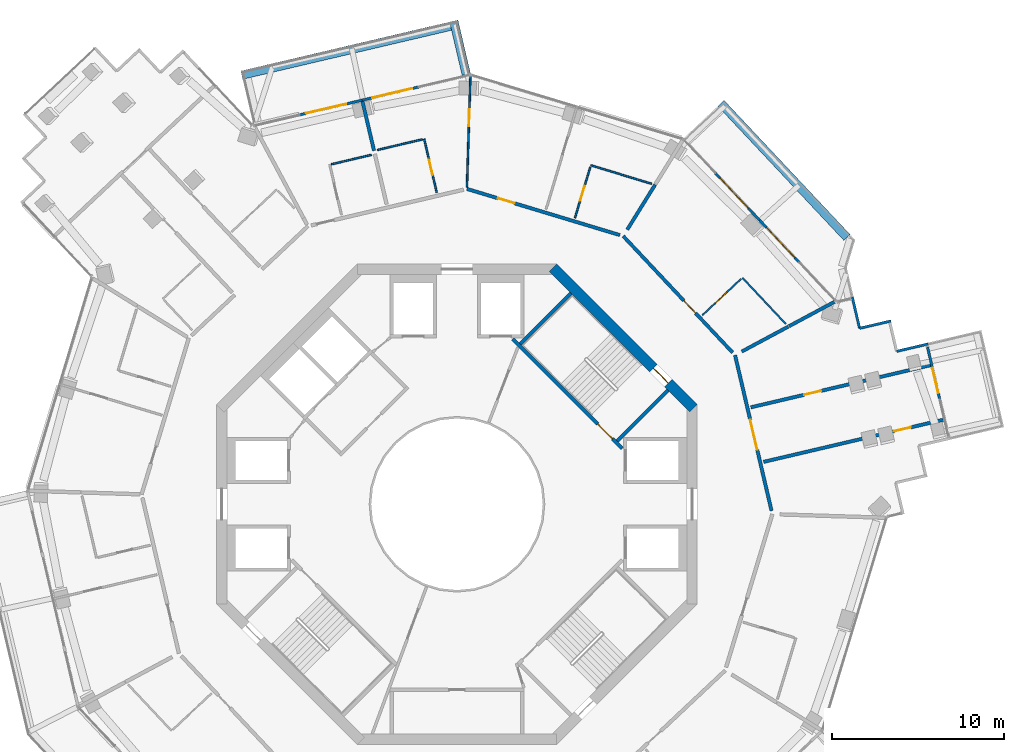
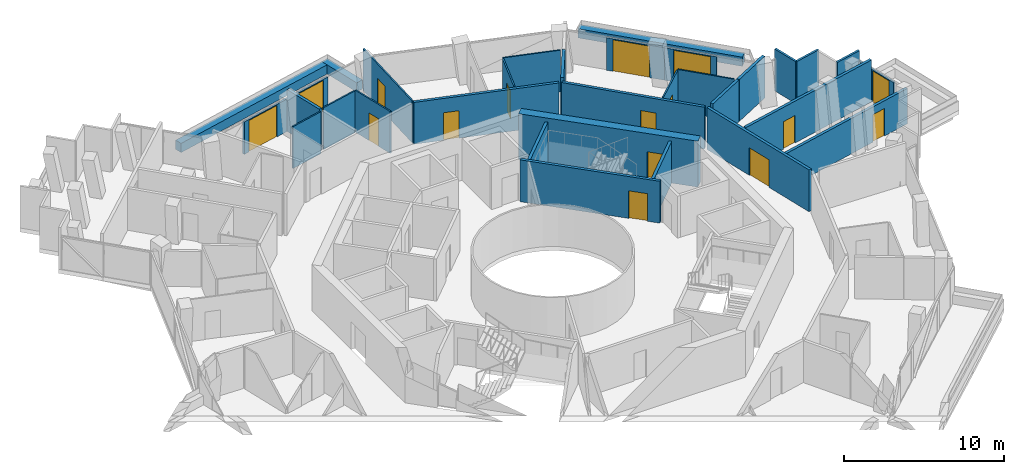
# One storey, part 20 of 24: 32 walls, 16 doors, 16 openings.
"""IFC4 building model written with IfcOpenShell, lengths in metres."""

import ifcopenshell
import ifcopenshell.guid

model = None  # the IFC model being written
_history = None  # IfcOwnerHistory: only IFC2X3 demands one
_inside = {}  # id of a spatial element -> (the spatial element, [elements in it])
_under = {}  # id of a project, library or spatial element -> (it, [spatial elements below it])
_declared = {}  # id of a project -> (the project, [libraries it declares])
_typed = {}  # id of a type object -> (the type object, [elements of that type])
_made_of = {}  # id of a material, layer set ... -> (it, [elements and type objects made of it])


def new_model(schema):
    """Start an empty IFC model of exactly this schema.

    Asked for "IFC4X3", IfcOpenShell would pick the latest addendum, in which some entities
    have other attributes; the version numbers below select the first issue.
    IFC2X3 requires an IfcOwnerHistory on every rooted entity: one is made here for all.
    """
    global model, _history
    if schema == "IFC4X3":
        model = ifcopenshell.file(schema_version=(4, 3, 0, 0))
    else:
        model = ifcopenshell.file(schema=schema)
    _inside.clear()
    _under.clear()
    _declared.clear()
    _typed.clear()
    _made_of.clear()
    _history = None
    if model.schema == "IFC2X3":
        org = make("IfcOrganization", Name="unknown")
        user = make(
            "IfcPersonAndOrganization",
            ThePerson=make("IfcPerson", FamilyName="unknown"),
            TheOrganization=org,
        )
        app = make(
            "IfcApplication",
            ApplicationDeveloper=org,
            Version="unknown",
            ApplicationFullName="unknown",
            ApplicationIdentifier="unknown",
        )
        _history = make(
            "IfcOwnerHistory",
            OwningUser=user,
            OwningApplication=app,
            ChangeAction="ADDED",
            CreationDate=0,
        )
    return model


def make(cls, **values):
    """One entity of the class cls with the attributes given. An attribute that is None is left unset."""
    return model.create_entity(
        cls, **{name: value for name, value in values.items() if value is not None}
    )


def rooted(cls, **values):
    """An entity with a GlobalId (a new one), such as an element, a storey or a relation."""
    return make(cls, GlobalId=ifcopenshell.guid.new(), OwnerHistory=_history, **values)


def si_unit(unit_type, name, prefix=None):
    """IfcSIUnit, for example si_unit("LENGTHUNIT", "METRE", prefix="MILLI")."""
    return make("IfcSIUnit", UnitType=unit_type, Prefix=prefix, Name=name)


def assignment(units):
    """IfcUnitAssignment: the units of a project."""
    return None if units is None else make("IfcUnitAssignment", Units=units)


def point(xyz):
    """IfcCartesianPoint."""
    return None if xyz is None else make("IfcCartesianPoint", Coordinates=xyz)


def direction(xyz):
    """IfcDirection."""
    return None if xyz is None else make("IfcDirection", DirectionRatios=xyz)


def frame(location, z_axis=None, x_axis=None):
    """IfcAxis2Placement3D, a coordinate frame: its origin and axes. An axis left out is left unset."""
    return make(
        "IfcAxis2Placement3D",
        Location=point(location),
        Axis=direction(z_axis),
        RefDirection=direction(x_axis),
    )


def frame_2d(location, x_axis=None):
    """IfcAxis2Placement2D, a coordinate frame in the plane: its origin and x axis."""
    return make(
        "IfcAxis2Placement2D", Location=point(location), RefDirection=direction(x_axis)
    )


def origin():
    """The frame at (0, 0, 0) with its axes left unset."""
    return frame((0.0, 0.0, 0.0))


def place(relative_to, where):
    """IfcLocalPlacement: puts the frame where relative to a parent placement (None: the world)."""
    return make(
        "IfcLocalPlacement", PlacementRelTo=relative_to, RelativePlacement=where
    )


def context(
    kind, dimensions, precision=None, world=None, true_north=None, identifier=None
):
    """IfcGeometricRepresentationContext, for example the 3D "Model" context."""
    return make(
        "IfcGeometricRepresentationContext",
        ContextIdentifier=identifier,
        ContextType=kind,
        CoordinateSpaceDimension=dimensions,
        Precision=precision,
        WorldCoordinateSystem=world,
        TrueNorth=true_north,
    )


def subcontext(parent, identifier, kind, view, scale=None):
    """IfcGeometricRepresentationSubContext, for example "Body" below "Model"."""
    return make(
        "IfcGeometricRepresentationSubContext",
        ContextIdentifier=identifier,
        ContextType=kind,
        ParentContext=parent,
        TargetScale=scale,
        TargetView=view,
    )


def project(units=None, contexts=None):
    """IfcProject with its units and contexts."""
    return rooted(
        "IfcProject",
        Name="project",
        RepresentationContexts=contexts,
        UnitsInContext=assignment(units),
    )


def spatial(cls, under=None, at=None, **own):
    """A site, building, storey or space (cls), placed at a placement, below another one or the project."""
    s = rooted(cls, ObjectPlacement=at, **own)
    if under is not None:
        _under.setdefault(under.id(), (under, []))[1].append(s)
    return s


def profile(cls, at=None, kind="AREA", **sizes):
    """A parametric profile (cls). Its sizes go by their IFC names, for example OverallWidth=200.0."""
    return make(cls, ProfileType=kind, Position=at, **sizes)


def rectangle(**sizes):
    """IfcRectangleProfileDef."""
    return profile("IfcRectangleProfileDef", **sizes)


def extrude(swept, where, along, depth):
    """IfcExtrudedAreaSolid: the profile swept, set in the frame where, extruded along a direction by depth."""
    return make(
        "IfcExtrudedAreaSolid",
        SweptArea=swept,
        Position=where,
        ExtrudedDirection=direction(along),
        Depth=depth,
    )


def shape(context_of_items, identifier, shape_type, items):
    """IfcShapeRepresentation: the items that make up one representation, for example the "Body"."""
    return make(
        "IfcShapeRepresentation",
        ContextOfItems=context_of_items,
        RepresentationIdentifier=identifier,
        RepresentationType=shape_type,
        Items=items,
    )


def material(Name=None, Category=None):
    """IfcMaterial."""
    return make("IfcMaterial", Name=Name, Category=Category)


def layer(
    of_material, thickness, ventilated=None, Name=None, Category=None, Priority=None
):
    """IfcMaterialLayer: one layer of a wall or slab, of a material (None: an air gap)."""
    return make(
        "IfcMaterialLayer",
        Material=of_material,
        LayerThickness=thickness,
        IsVentilated=ventilated,
        Name=Name,
        Category=Category,
        Priority=Priority,
    )


def layer_set(layers, Name=None):
    """IfcMaterialLayerSet."""
    return make("IfcMaterialLayerSet", MaterialLayers=layers, LayerSetName=Name)


def made_of(thing, what):
    """Note that an element or type object is made of a material, layer set ...; save() writes the relation."""
    if what is not None:
        _made_of.setdefault(what.id(), (what, []))[1].append(thing)
    return thing


def type_object(cls, material=None, **own):
    """A type object (cls), such as IfcWallType, which elements share."""
    return made_of(rooted(cls, **own), material)


def element(
    cls,
    number,
    at=None,
    inside=None,
    cuts=None,
    type_object=None,
    material=None,
    context=None,
    identifier="Body",
    shape_type=None,
    held_by="IfcProductDefinitionShape",
    body=None,
    shapes=None,
    **own,
):
    """One element of the class cls, such as IfcWall. Its Tag is "e" and its number.

    at: its placement. inside: the storey or other place that contains it. cuts: it is an
    opening in that element (IfcRelVoidsElement). A single representation is given by context,
    identifier, shape_type and body (its items); several are given by shapes. held_by: the class
    of the entity that holds the representations. save() writes the other relations.
    """
    e = rooted(cls, Tag="e%d" % number, ObjectPlacement=at, **own)
    if body is not None:
        shapes = [shape(context, identifier, shape_type, body)]
    if shapes is not None:
        e.Representation = make(held_by, Representations=shapes)
    if inside is not None:
        _inside.setdefault(inside.id(), (inside, []))[1].append(e)
    if cuts is not None:
        rooted(
            "IfcRelVoidsElement", RelatingBuildingElement=cuts, RelatedOpeningElement=e
        )
    if type_object is not None:
        _typed.setdefault(type_object.id(), (type_object, []))[1].append(e)
    return made_of(e, material)


def fill(opening, filler):
    """IfcRelFillsElement: the door or window that sits in an opening."""
    return rooted(
        "IfcRelFillsElement",
        RelatingOpeningElement=opening,
        RelatedBuildingElement=filler,
    )


def aggregate(whole, parts):
    """IfcRelAggregates: a whole, such as a stair, and the parts it consists of."""
    return rooted("IfcRelAggregates", RelatingObject=whole, RelatedObjects=parts)


def save(model, path):
    """Write the relations noted so far, then the file.

    IfcRelAggregates (storeys below a building ...), IfcRelContainedInSpatialStructure (elements
    in a storey), IfcRelDefinesByType, IfcRelAssociatesMaterial and IfcRelDeclares: one each for
    every whole, place, type object, material and project.
    """
    for whole, parts in _under.values():
        aggregate(whole, parts)
    for where, things in _inside.values():
        rooted(
            "IfcRelContainedInSpatialStructure",
            RelatedElements=things,
            RelatingStructure=where,
        )
    for kind, things in _typed.values():
        rooted("IfcRelDefinesByType", RelatedObjects=things, RelatingType=kind)
    for what, things in _made_of.values():
        rooted("IfcRelAssociatesMaterial", RelatedObjects=things, RelatingMaterial=what)
    for by, libraries in _declared.values():
        rooted("IfcRelDeclares", RelatingContext=by, RelatedDefinitions=libraries)
    model.write(path)


model = new_model("IFC4")

# Units and contexts
model_context = context("Model", 3, precision=1e-05, world=origin(), true_north=direction((0.0, 1.0)))
body_context = subcontext(model_context, "Body", "Model", "MODEL_VIEW")
ifc_project = project(units=[si_unit("LENGTHUNIT", "METRE"), si_unit("AREAUNIT", "SQUARE_METRE"), si_unit("VOLUMEUNIT", "CUBIC_METRE"), si_unit("PLANEANGLEUNIT", "RADIAN"), si_unit("MASSUNIT", "GRAM", prefix="KILO")], contexts=[model_context])

# Site, building, storey
site_placement = place(None, origin())
site = spatial("IfcSite", under=ifc_project, at=site_placement, CompositionType="ELEMENT")
building_placement = place(site_placement, origin())
building = spatial("IfcBuilding", under=site, at=building_placement, Name="Verdalira Terraces Hotel", CompositionType="ELEMENT")
storey_placement = place(building_placement, frame((0.0, 0.0, 209.0)))
storey = spatial("IfcBuildingStorey", under=building, at=storey_placement, Name="L51", CompositionType="ELEMENT", Elevation=209.0)

# Walls
ifc_material_1 = material(Name="Concrete C40", Category="concrete")
ifc_layer_1 = layer(ifc_material_1, 0.5)
ifc_layer_set_1 = layer_set([ifc_layer_1], Name="Balcony planter trough with tree")
wall_type_1 = type_object("IfcWallType", Name="Balcony planter trough with tree", PredefinedType="SOLIDWALL", material=ifc_layer_set_1)
wall_1_placement = place(storey_placement, frame((22.722412, 15.549561, 0.0), z_axis=(0.0, 0.0, 1.0), x_axis=(-0.684540163, 0.728975147, 0.0)))
element("IfcWall", 1, at=wall_1_placement, inside=storey, type_object=wall_type_1, Name="Balcony planter", PredefinedType="SOLIDWALL", context=body_context, shape_type="SweptSolid", body=[
    extrude(rectangle(XDim=10.719482, YDim=0.5, at=frame_2d((5.359863, 0.0))), origin(), (0.0, 0.0, 1.0), 0.699951),
])
wall_2_placement = place(storey_placement, frame((0.545166, 25.045654, 0.0), z_axis=(0.0, 0.0, 1.0), x_axis=(-0.228341659, 0.973581063, 0.0)))
element("IfcWall", 2, at=wall_2_placement, inside=storey, type_object=wall_type_1, Name="Balcony planter", PredefinedType="SOLIDWALL", context=body_context, shape_type="SweptSolid", body=[
    extrude(rectangle(XDim=3.198975, YDim=0.5, at=frame_2d((1.599609, 0.0))), origin(), (0.0, 0.0, 1.0), 0.699951),
])
wall_3_placement = place(storey_placement, frame((-0.371582, 27.859619, 0.0), z_axis=(0.0, 0.0, 1.0), x_axis=(-0.973576768, -0.228359973, 0.0)))
element("IfcWall", 3, at=wall_3_placement, inside=storey, type_object=wall_type_1, Name="Balcony planter", PredefinedType="SOLIDWALL", context=body_context, shape_type="SweptSolid", body=[
    extrude(rectangle(XDim=12.5, YDim=0.5, at=frame_2d((6.25, 0.0))), origin(), (0.0, 0.0, 1.0), 0.699951),
])
ifc_material_2 = material(Name="Moisture-resistant gypsum board partition")
ifc_layer_2 = layer(ifc_material_2, 0.10009765625)
ifc_layer_set_2 = layer_set([ifc_layer_2], Name="Bathroom partition 100 mm")
wall_type_2 = type_object("IfcWallType", Name="Bathroom partition 100 mm", PredefinedType="PARTITIONING", material=ifc_layer_set_2)
wall_4_placement = place(storey_placement, frame((-7.317139, 19.810791, 0.0), z_axis=(0.0, 0.0, 1.0), x_axis=(0.973570381, 0.2283872, 0.0)))
element("IfcWall", 4, at=wall_4_placement, inside=storey, type_object=wall_type_2, Name="Bathroom partition", PredefinedType="PARTITIONING", context=body_context, shape_type="SweptSolid", body=[
    extrude(rectangle(XDim=2.399902, YDim=0.100098, at=frame_2d((1.199951, 0.0))), origin(), (0.0, 0.0, 1.0), 3.189941),
])
wall_5_placement = place(storey_placement, frame((-2.008057, 21.261475, 0.0), z_axis=(0.0, 0.0, 1.0), x_axis=(-0.973586482, -0.228318554, 0.0)))
element("IfcWall", 5, at=wall_5_placement, inside=storey, type_object=wall_type_2, Name="Bathroom partition", PredefinedType="PARTITIONING", context=body_context, shape_type="SweptSolid", body=[
    extrude(rectangle(XDim=2.699951, YDim=0.100098, at=frame_2d((1.350098, 0.0))), origin(), (0.0, 0.0, 1.0), 3.189941),
])

# Wall, opening, door
wall_6_placement = place(storey_placement, frame((-1.180176, 18.168945, 0.0), z_axis=(0.0, 0.0, 1.0), x_axis=(-0.228346131, 0.973580014, 0.0)))
wall_6 = element("IfcWall", 6, at=wall_6_placement, inside=storey, type_object=wall_type_2, Name="Bathroom partition", PredefinedType="PARTITIONING", context=body_context, shape_type="SweptSolid", body=[
    extrude(rectangle(XDim=3.199951, YDim=0.100098, at=frame_2d((1.600098, 0.0))), origin(), (0.0, 0.0, 1.0), 3.189941),
])
opening_1_placement = place(wall_6_placement, frame((1.050049, 0.0, 0.0)))
opening_1 = element("IfcOpeningElement", 7, at=opening_1_placement, cuts=wall_6, Name="Opening L51-132", PredefinedType="OPENING", context=body_context, shape_type="SweptSolid", body=[
    extrude(rectangle(XDim=0.899902, YDim=2.100098, at=frame_2d((0.449951, 1.050049))), frame((0.0, 0.060059, 0.0), z_axis=(0.0, -1.0, 0.0), x_axis=(1.0, 0.0, 0.0)), (0.0, 0.0, 1.0), 0.120117),
])
ifc_material_3 = material(Name="Timber door", Category="wood")
door_type_1 = type_object("IfcDoorType", Name="Bathroom door 900 x 2100", OperationType="NOTDEFINED", PredefinedType="DOOR", material=ifc_material_3)
door_1_placement = place(opening_1_placement, origin())
door_1 = element("IfcDoor", 8, at=door_1_placement, inside=storey, type_object=door_type_1, Name="Bathroom door 5112", OperationType="SINGLE_SWING_RIGHT", OverallHeight=2.10009765625, OverallWidth=0.89990234375, PredefinedType="DOOR", context=body_context, shape_type="SweptSolid", body=[
    extrude(rectangle(XDim=0.899902, YDim=2.100098, at=frame_2d((0.449951, 1.050049))), frame((0.0, 0.024902, 0.0), z_axis=(0.0, -1.0, 0.0), x_axis=(1.0, 0.0, 0.0)), (0.0, 0.0, 1.0), 0.050049),
])
fill(opening_1, door_1)

wall_7_placement = place(storey_placement, frame((0.580811, 18.479248, 0.0), z_axis=(0.0, 0.0, 1.0), x_axis=(0.031404237, 0.999506765, 0.0)))
wall_7 = element("IfcWall", 9, at=wall_7_placement, inside=storey, type_object=wall_type_2, Name="Bathroom partition", PredefinedType="PARTITIONING", context=body_context, shape_type="SweptSolid", body=[
    extrude(rectangle(XDim=6.47583, YDim=0.100098, at=frame_2d((3.237793, 0.0))), origin(), (0.0, 0.0, 1.0), 3.189941),
])
opening_2_placement = place(wall_7_placement, frame((3.550049, 0.0, 0.0)))
opening_2 = element("IfcOpeningElement", 10, at=opening_2_placement, cuts=wall_7, Name="Opening L51-130", PredefinedType="OPENING", context=body_context, shape_type="SweptSolid", body=[
    extrude(rectangle(XDim=1.0, YDim=2.100098, at=frame_2d((0.5, 1.050049))), frame((0.0, 0.060059, 0.0), z_axis=(0.0, -1.0, 0.0), x_axis=(1.0, 0.0, 0.0)), (0.0, 0.0, 1.0), 0.120117),
])
ifc_material_4 = material(Name="Timber door", Category="wood")
door_type_2 = type_object("IfcDoorType", Name="Suite internal door 1000 x 2100", OperationType="NOTDEFINED", PredefinedType="DOOR", material=ifc_material_4)
door_2_placement = place(opening_2_placement, origin())
door_2 = element("IfcDoor", 11, at=door_2_placement, inside=storey, type_object=door_type_2, Name="Suite internal door 5112", OperationType="SINGLE_SWING_LEFT", OverallHeight=2.10009765625, OverallWidth=1.0, PredefinedType="DOOR", context=body_context, shape_type="SweptSolid", body=[
    extrude(rectangle(XDim=1.0, YDim=2.100098, at=frame_2d((0.5, 1.050049))), frame((0.0, 0.024902, 0.0), z_axis=(0.0, -1.0, 0.0), x_axis=(1.0, 0.0, 0.0)), (0.0, 0.0, 1.0), 0.050049),
])
fill(opening_2, door_2)

wall_8_placement = place(storey_placement, frame((7.769775, 19.651367, 0.0), z_axis=(0.0, 0.0, 1.0), x_axis=(-0.289023657, -0.957321955, 0.0)))
wall_8 = element("IfcWall", 12, at=wall_8_placement, inside=storey, type_object=wall_type_2, Name="Bathroom partition", PredefinedType="PARTITIONING", context=body_context, shape_type="SweptSolid", body=[
    extrude(rectangle(XDim=3.100098, YDim=0.100098, at=frame_2d((1.550049, 0.0))), origin(), (0.0, 0.0, 1.0), 3.189941),
])
opening_3_placement = place(wall_8_placement, frame((1.149902, 0.0, 0.0)))
opening_3 = element("IfcOpeningElement", 13, at=opening_3_placement, cuts=wall_8, Name="Opening L51-131", PredefinedType="OPENING", context=body_context, shape_type="SweptSolid", body=[
    extrude(rectangle(XDim=0.899902, YDim=2.100098, at=frame_2d((0.449951, 1.050049))), frame((0.0, 0.060059, 0.0), z_axis=(0.0, -1.0, 0.0), x_axis=(1.0, 0.0, 0.0)), (0.0, 0.0, 1.0), 0.120117),
])
door_3_placement = place(opening_3_placement, origin())
door_3 = element("IfcDoor", 14, at=door_3_placement, inside=storey, type_object=door_type_1, Name="Bathroom door 5112", OperationType="SINGLE_SWING_LEFT", OverallHeight=2.10009765625, OverallWidth=0.89990234375, PredefinedType="DOOR", context=body_context, shape_type="SweptSolid", body=[
    extrude(rectangle(XDim=0.899902, YDim=2.100098, at=frame_2d((0.449951, 1.050049))), frame((0.0, 0.024902, 0.0), z_axis=(0.0, -1.0, 0.0), x_axis=(1.0, 0.0, 0.0)), (0.0, 0.0, 1.0), 0.050049),
])
fill(opening_3, door_3)

# Wall
wall_9_placement = place(storey_placement, frame((11.344482, 18.676514, 0.0), z_axis=(0.0, 0.0, 1.0), x_axis=(-0.957320485, 0.289028527, 0.0)))
element("IfcWall", 15, at=wall_9_placement, inside=storey, type_object=wall_type_2, Name="Bathroom partition", PredefinedType="PARTITIONING", context=body_context, shape_type="SweptSolid", body=[
    extrude(rectangle(XDim=3.704102, YDim=0.100098, at=frame_2d((1.852051, 0.0))), origin(), (0.0, 0.0, 1.0), 3.189941),
])

# Wall, opening, door
wall_10_placement = place(storey_placement, frame((16.554443, 13.133789, 0.0), z_axis=(0.0, 0.0, 1.0), x_axis=(-0.728967156, -0.684548673, 0.0)))
wall_10 = element("IfcWall", 16, at=wall_10_placement, inside=storey, type_object=wall_type_2, Name="Bathroom partition", PredefinedType="PARTITIONING", context=body_context, shape_type="SweptSolid", body=[
    extrude(rectangle(XDim=3.099854, YDim=0.100098, at=frame_2d((1.549805, 0.0))), origin(), (0.0, 0.0, 1.0), 3.189941),
])
opening_4_placement = place(wall_10_placement, frame((1.149902, 0.0, 0.0)))
opening_4 = element("IfcOpeningElement", 17, at=opening_4_placement, cuts=wall_10, Name="Opening L51-127", PredefinedType="OPENING", context=body_context, shape_type="SweptSolid", body=[
    extrude(rectangle(XDim=0.899902, YDim=2.100098, at=frame_2d((0.449951, 1.050049))), frame((0.0, 0.060059, 0.0), z_axis=(0.0, -1.0, 0.0), x_axis=(1.0, 0.0, 0.0)), (0.0, 0.0, 1.0), 0.120117),
])
door_4_placement = place(opening_4_placement, origin())
door_4 = element("IfcDoor", 18, at=door_4_placement, inside=storey, type_object=door_type_1, Name="Bathroom door 5111", OperationType="SINGLE_SWING_LEFT", OverallHeight=2.10009765625, OverallWidth=0.89990234375, PredefinedType="DOOR", context=body_context, shape_type="SweptSolid", body=[
    extrude(rectangle(XDim=0.899902, YDim=2.100098, at=frame_2d((0.449951, 1.050049))), frame((0.0, 0.024902, 0.0), z_axis=(0.0, -1.0, 0.0), x_axis=(1.0, 0.0, 0.0)), (0.0, 0.0, 1.0), 0.050049),
])
fill(opening_4, door_4)

# Wall
wall_11_placement = place(storey_placement, frame((16.627441, 13.202148, 0.0), z_axis=(0.0, 0.0, 1.0), x_axis=(0.684546009, -0.728969657, 0.0)))
element("IfcWall", 19, at=wall_11_placement, inside=storey, type_object=wall_type_2, Name="Bathroom partition", PredefinedType="PARTITIONING", context=body_context, shape_type="SweptSolid", body=[
    extrude(rectangle(XDim=3.704102, YDim=0.100098, at=frame_2d((1.852051, 0.0))), origin(), (0.0, 0.0, 1.0), 3.189941),
])

# Wall, opening, door
ifc_material_5 = material(Name="Concrete C50", Category="concrete")
ifc_layer_3 = layer(ifc_material_5, 0.199951171875)
ifc_layer_set_3 = layer_set([ifc_layer_3], Name="Core RC wall 200 C50")
wall_type_3 = type_object("IfcWallType", Name="Core RC wall 200 C50", PredefinedType="SOLIDWALL", material=ifc_layer_set_3)
wall_12_placement = place(storey_placement, frame((3.23999, 9.629395, 0.0), z_axis=(0.0, 0.0, 1.0), x_axis=(0.707106781, -0.707106781, 0.0)))
wall_12 = element("IfcWall", 20, at=wall_12_placement, inside=storey, type_object=wall_type_3, Name="L51 stair ST1 front wall", PredefinedType="SOLIDWALL", context=body_context, shape_type="SweptSolid", body=[
    extrude(rectangle(XDim=9.035889, YDim=0.199951, at=frame_2d((4.518066, 0.0))), origin(), (0.0, 0.0, 1.0), 3.189941),
])
opening_5_placement = place(wall_12_placement, frame((7.017822, 0.0, 0.0)))
opening_5 = element("IfcOpeningElement", 21, at=opening_5_placement, cuts=wall_12, Name="Opening L51-810", PredefinedType="OPENING", context=body_context, shape_type="SweptSolid", body=[
    extrude(rectangle(XDim=1.199951, YDim=2.100098, at=frame_2d((0.600098, 1.050049))), frame((0.0, 0.109863, 0.0), z_axis=(0.0, -1.0, 0.0), x_axis=(1.0, 0.0, 0.0)), (0.0, 0.0, 1.0), 0.219971),
])
ifc_material_6 = material(Name="Steel fire door", Category="steel")
door_type_3 = type_object("IfcDoorType", Name="Stair door 1200 x 2100", OperationType="NOTDEFINED", PredefinedType="DOOR", material=ifc_material_6)
door_5_placement = place(opening_5_placement, origin())
door_5 = element("IfcDoor", 22, at=door_5_placement, inside=storey, type_object=door_type_3, Name="Stair door ST1 L51", OperationType="SINGLE_SWING_RIGHT", OverallHeight=2.10009765625, OverallWidth=1.199951171875, PredefinedType="DOOR", context=body_context, shape_type="SweptSolid", body=[
    extrude(rectangle(XDim=1.199951, YDim=2.100098, at=frame_2d((0.600098, 1.050049))), frame((0.0, 0.024902, 0.0), z_axis=(0.0, -1.0, 0.0), x_axis=(1.0, 0.0, 0.0)), (0.0, 0.0, 1.0), 0.050049),
])
fill(opening_5, door_5)

# Walls
for number, where, z_axis, x_axis, name in (
    (23, (9.33374, 3.677002, 0.0), (0.0, 0.0, 1.0), (0.707135845, 0.707077716, 0.0), "L51 stair ST1 end wall 1"),
    (24, (3.677002, 9.33374, 0.0), (0.0, 0.0, 1.0), (0.707077716, 0.707135845, 0.0), "L51 stair ST1 end wall 2"),
):
    element("IfcWall", number, at=place(storey_placement, frame(where, z_axis=z_axis, x_axis=x_axis)), inside=storey, type_object=wall_type_3, Name=name, PredefinedType="SOLIDWALL", context=body_context, shape_type="SweptSolid", body=[
        extrude(rectangle(XDim=4.199951, YDim=0.199951, at=frame_2d((2.100098, 0.0))), origin(), (0.0, 0.0, 1.0), 3.189941),
    ])

# Wall, opening, door
ifc_material_7 = material(Name="Concrete C60", Category="concrete")
ifc_layer_4 = layer(ifc_material_7, 0.60009765625)
ifc_layer_set_4 = layer_set([ifc_layer_4], Name="Core wall 600 C60")
wall_type_4 = type_object("IfcWallType", Name="Core wall 600 C60", PredefinedType="SHEAR", material=ifc_layer_set_4)
wall_13_placement = place(storey_placement, frame((13.787842, 5.586914, 0.0), z_axis=(0.0, 0.0, 1.0), x_axis=(-0.707106781, 0.707106781, 0.0)))
wall_13 = element("IfcWall", 25, at=wall_13_placement, inside=storey, type_object=wall_type_4, Name="Core wall CW-L51-2", PredefinedType="SHEAR", context=body_context, shape_type="SweptSolid", body=[
    extrude(rectangle(XDim=11.5979, YDim=0.600098, at=frame_2d((5.798828, 0.0))), origin(), (0.0, 0.0, 1.0), 3.5),
])
opening_6_placement = place(wall_13_placement, frame((2.099121, 0.0, 0.0)))
opening_6 = element("IfcOpeningElement", 26, at=opening_6_placement, cuts=wall_13, Name="Opening L51-816", PredefinedType="OPENING", context=body_context, shape_type="SweptSolid", body=[
    extrude(rectangle(XDim=1.199951, YDim=2.100098, at=frame_2d((0.600098, 1.050049))), frame((0.0, 0.310059, 0.0), z_axis=(0.0, -1.0, 0.0), x_axis=(1.0, 0.0, 0.0)), (0.0, 0.0, 1.0), 0.620117),
])
door_6_placement = place(opening_6_placement, origin())
door_6 = element("IfcDoor", 27, at=door_6_placement, inside=storey, type_object=door_type_3, Name="Stair exit door ST1 L51", OperationType="SINGLE_SWING_LEFT", OverallHeight=2.10009765625, OverallWidth=1.199951171875, PredefinedType="DOOR", context=body_context, shape_type="SweptSolid", body=[
    extrude(rectangle(XDim=1.199951, YDim=2.100098, at=frame_2d((0.600098, 1.050049))), frame((0.0, 0.024902, 0.0), z_axis=(0.0, -1.0, 0.0), x_axis=(1.0, 0.0, 0.0)), (0.0, 0.0, 1.0), 0.050049),
])
fill(opening_6, door_6)

# Walls
ifc_material_8 = material(Name="Fire-rated gypsum board wall")
ifc_layer_5 = layer(ifc_material_8, 0.199951171875)
ifc_layer_set_5 = layer_set([ifc_layer_5], Name="Demising wall 200 mm")
wall_type_5 = type_object("IfcWallType", Name="Demising wall 200 mm", PredefinedType="SOLIDWALL", material=ifc_layer_set_5)
wall_14_placement = place(storey_placement, frame((-4.831543, 20.599365, 0.0), z_axis=(0.0, 0.0, 1.0), x_axis=(-0.228333511, 0.973582974, 0.0)))
element("IfcWall", 28, at=wall_14_placement, inside=storey, type_object=wall_type_5, Name="Demising wall", PredefinedType="SOLIDWALL", context=body_context, shape_type="SweptSolid", body=[
    extrude(rectangle(XDim=2.949951, YDim=0.199951, at=frame_2d((1.475098, 0.0))), origin(), (0.0, 0.0, 1.0), 3.189941),
])
wall_15_placement = place(storey_placement, frame((9.923584, 16.005127, 0.0), z_axis=(0.0, 0.0, 1.0), x_axis=(0.526969492, 0.849884201, 0.0)))
element("IfcWall", 29, at=wall_15_placement, inside=storey, type_object=wall_type_5, Name="Demising wall", PredefinedType="SOLIDWALL", context=body_context, shape_type="SweptSolid", body=[
    extrude(rectangle(XDim=3.074951, YDim=0.199951, at=frame_2d((1.537598, 0.0))), origin(), (0.0, 0.0, 1.0), 3.189941),
])
wall_16_placement = place(storey_placement, frame((16.59668, 8.89917, 0.0), z_axis=(0.0, 0.0, 1.0), x_axis=(0.88131111, 0.472536482, 0.0)))
element("IfcWall", 30, at=wall_16_placement, inside=storey, type_object=wall_type_5, Name="Demising wall", PredefinedType="SOLIDWALL", context=body_context, shape_type="SweptSolid", body=[
    extrude(rectangle(XDim=3.074707, YDim=0.199951, at=frame_2d((1.537354, 0.0))), origin(), (0.0, 0.0, 1.0), 3.189941),
])
wall_17_placement = place(storey_placement, frame((19.346924, 10.373779, 0.0), z_axis=(0.0, 0.0, 1.0), x_axis=(0.881302745, 0.472552084, 0.0)))
element("IfcWall", 31, at=wall_17_placement, inside=storey, type_object=wall_type_5, Name="Demising wall", PredefinedType="SOLIDWALL", context=body_context, shape_type="SweptSolid", body=[
    extrude(rectangle(XDim=3.011475, YDim=0.199951, at=frame_2d((1.505859, 0.0))), origin(), (0.0, 0.0, 1.0), 3.189941),
])

# Wall, opening, door
wall_18_placement = place(storey_placement, frame((17.121094, 5.647705, 0.0), z_axis=(0.0, 0.0, 1.0), x_axis=(0.973576876, 0.22835951, 0.0)))
wall_18 = element("IfcWall", 32, at=wall_18_placement, inside=storey, type_object=wall_type_5, Name="Demising wall", PredefinedType="SOLIDWALL", context=body_context, shape_type="SweptSolid", body=[
    extrude(rectangle(XDim=10.749756, YDim=0.199951, at=frame_2d((5.375, 0.0))), origin(), (0.0, 0.0, 1.0), 3.189941),
])
opening_7_placement = place(wall_18_placement, frame((3.199951, 0.0, 0.0)))
opening_7 = element("IfcOpeningElement", 33, at=opening_7_placement, cuts=wall_18, Name="Opening L51-125", PredefinedType="OPENING", context=body_context, shape_type="SweptSolid", body=[
    extrude(rectangle(XDim=1.0, YDim=2.100098, at=frame_2d((0.5, 1.050049))), frame((0.0, 0.109863, 0.0), z_axis=(0.0, -1.0, 0.0), x_axis=(1.0, 0.0, 0.0)), (0.0, 0.0, 1.0), 0.219971),
])
ifc_material_9 = material(Name="Timber fire door", Category="wood")
door_type_4 = type_object("IfcDoorType", Name="Public room door 1000 x 2100", OperationType="NOTDEFINED", PredefinedType="DOOR", material=ifc_material_9)
door_7_placement = place(opening_7_placement, origin())
door_7 = element("IfcDoor", 34, at=door_7_placement, inside=storey, type_object=door_type_4, Name="Public room door 5110", OperationType="SINGLE_SWING_LEFT", OverallHeight=2.10009765625, OverallWidth=1.0, PredefinedType="DOOR", context=body_context, shape_type="SweptSolid", body=[
    extrude(rectangle(XDim=1.0, YDim=2.100098, at=frame_2d((0.5, 1.050049))), frame((0.0, 0.024902, 0.0), z_axis=(0.0, -1.0, 0.0), x_axis=(1.0, 0.0, 0.0)), (0.0, 0.0, 1.0), 0.050049),
])
fill(opening_7, door_7)

ifc_material_10 = material(Name="Fire-rated gypsum board wall")
ifc_layer_6 = layer(ifc_material_10, 0.199951171875)
ifc_layer_set_6 = layer_set([ifc_layer_6], Name="Demising wall 200 mm to beam soffit")
wall_type_6 = type_object("IfcWallType", Name="Demising wall 200 mm to beam soffit", PredefinedType="SOLIDWALL", material=ifc_layer_set_6)
wall_19_placement = place(storey_placement, frame((28.33252, 4.924316, 0.0), z_axis=(0.0, 0.0, 1.0), x_axis=(-0.973578061, -0.228354461, 0.0)))
wall_19 = element("IfcWall", 35, at=wall_19_placement, inside=storey, type_object=wall_type_6, Name="Demising wall", PredefinedType="SOLIDWALL", context=body_context, shape_type="SweptSolid", body=[
    extrude(rectangle(XDim=10.75, YDim=0.199951, at=frame_2d((5.375, 0.0))), origin(), (0.0, 0.0, 1.0), 2.689941),
])
opening_8_placement = place(wall_19_placement, frame((1.949951, 0.0, 0.0)))
opening_8 = element("IfcOpeningElement", 36, at=opening_8_placement, cuts=wall_19, Name="Opening L51-124", PredefinedType="OPENING", context=body_context, shape_type="SweptSolid", body=[
    extrude(rectangle(XDim=1.0, YDim=2.100098, at=frame_2d((0.5, 1.050049))), frame((0.0, 0.109863, 0.0), z_axis=(0.0, -1.0, 0.0), x_axis=(1.0, 0.0, 0.0)), (0.0, 0.0, 1.0), 0.219971),
])
door_8_placement = place(opening_8_placement, origin())
door_8 = element("IfcDoor", 37, at=door_8_placement, inside=storey, type_object=door_type_4, Name="Public room door 5110", OperationType="SINGLE_SWING_LEFT", OverallHeight=2.10009765625, OverallWidth=1.0, PredefinedType="DOOR", context=body_context, shape_type="SweptSolid", body=[
    extrude(rectangle(XDim=1.0, YDim=2.100098, at=frame_2d((0.5, 1.050049))), frame((0.0, 0.024902, 0.0), z_axis=(0.0, -1.0, 0.0), x_axis=(1.0, 0.0, 0.0)), (0.0, 0.0, 1.0), 0.050049),
])
fill(opening_8, door_8)

ifc_material_11 = material(Name="Fire-rated gypsum board wall")
ifc_layer_7 = layer(ifc_material_11, 0.199951171875)
ifc_layer_set_7 = layer_set([ifc_layer_7], Name="Guest corridor wall 200 mm")
wall_type_7 = type_object("IfcWallType", Name="Guest corridor wall 200 mm", PredefinedType="SOLIDWALL", material=ifc_layer_set_7)
wall_20_placement = place(storey_placement, frame((0.577393, 18.375732, 0.0), z_axis=(0.0, 0.0, 1.0), x_axis=(0.957319229, -0.289032685, 0.0)))
wall_20 = element("IfcWall", 38, at=wall_20_placement, inside=storey, type_object=wall_type_7, Name="Guest corridor wall", PredefinedType="SOLIDWALL", context=body_context, shape_type="SweptSolid", body=[
    extrude(rectangle(XDim=9.316895, YDim=0.199951, at=frame_2d((4.658447, 0.0))), origin(), (0.0, 0.0, 1.0), 3.189941),
])
opening_9_placement = place(wall_20_placement, frame((1.899902, 0.0, 0.0)))
opening_9 = element("IfcOpeningElement", 39, at=opening_9_placement, cuts=wall_20, Name="Opening L51-128", PredefinedType="OPENING", context=body_context, shape_type="SweptSolid", body=[
    extrude(rectangle(XDim=1.0, YDim=2.100098, at=frame_2d((0.5, 1.050049))), frame((0.0, 0.109863, 0.0), z_axis=(0.0, -1.0, 0.0), x_axis=(1.0, 0.0, 0.0)), (0.0, 0.0, 1.0), 0.219971),
])
ifc_material_12 = material(Name="Timber fire door", Category="wood")
door_type_5 = type_object("IfcDoorType", Name="Guest entry door 1000 x 2100", OperationType="NOTDEFINED", PredefinedType="DOOR", material=ifc_material_12)
door_9_placement = place(opening_9_placement, origin())
door_9 = element("IfcDoor", 40, at=door_9_placement, inside=storey, type_object=door_type_5, Name="Guest entry door 5112", OperationType="SINGLE_SWING_LEFT", OverallHeight=2.10009765625, OverallWidth=1.0, PredefinedType="DOOR", context=body_context, shape_type="SweptSolid", body=[
    extrude(rectangle(XDim=1.0, YDim=2.100098, at=frame_2d((0.5, 1.050049))), frame((0.0, 0.024902, 0.0), z_axis=(0.0, -1.0, 0.0), x_axis=(1.0, 0.0, 0.0)), (0.0, 0.0, 1.0), 0.050049),
])
fill(opening_9, door_9)

wall_21_placement = place(storey_placement, frame((9.687988, 15.625, 0.0), z_axis=(0.0, 0.0, 1.0), x_axis=(0.684549323, -0.728966545, 0.0)))
wall_21 = element("IfcWall", 41, at=wall_21_placement, inside=storey, type_object=wall_type_7, Name="Guest corridor wall", PredefinedType="SOLIDWALL", context=body_context, shape_type="SweptSolid", body=[
    extrude(rectangle(XDim=9.31665, YDim=0.199951, at=frame_2d((4.658203, 0.0))), origin(), (0.0, 0.0, 1.0), 3.189941),
])
opening_10_placement = place(wall_21_placement, frame((5.149902, 0.0, 0.0)))
opening_10 = element("IfcOpeningElement", 42, at=opening_10_placement, cuts=wall_21, Name="Opening L51-126", PredefinedType="OPENING", context=body_context, shape_type="SweptSolid", body=[
    extrude(rectangle(XDim=1.0, YDim=2.100098, at=frame_2d((0.5, 1.050049))), frame((0.0, 0.109863, 0.0), z_axis=(0.0, -1.0, 0.0), x_axis=(1.0, 0.0, 0.0)), (0.0, 0.0, 1.0), 0.219971),
])
door_10_placement = place(opening_10_placement, origin())
door_10 = element("IfcDoor", 43, at=door_10_placement, inside=storey, type_object=door_type_5, Name="Guest entry door 5111", OperationType="SINGLE_SWING_LEFT", OverallHeight=2.10009765625, OverallWidth=1.0, PredefinedType="DOOR", context=body_context, shape_type="SweptSolid", body=[
    extrude(rectangle(XDim=1.0, YDim=2.100098, at=frame_2d((0.5, 1.050049))), frame((0.0, 0.024902, 0.0), z_axis=(0.0, -1.0, 0.0), x_axis=(1.0, 0.0, 0.0)), (0.0, 0.0, 1.0), 0.050049),
])
fill(opening_10, door_10)

wall_22_placement = place(storey_placement, frame((16.202637, 8.687744, 0.0), z_axis=(0.0, 0.0, 1.0), x_axis=(0.228346959, -0.97357982, 0.0)))
wall_22 = element("IfcWall", 44, at=wall_22_placement, inside=storey, type_object=wall_type_7, Name="Guest corridor wall", PredefinedType="SOLIDWALL", context=body_context, shape_type="SweptSolid", body=[
    extrude(rectangle(XDim=9.31665, YDim=0.199951, at=frame_2d((4.658203, 0.0))), origin(), (0.0, 0.0, 1.0), 3.189941),
])
opening_11_placement = place(wall_22_placement, frame((3.869385, 0.0, 0.0)))
opening_11 = element("IfcOpeningElement", 45, at=opening_11_placement, cuts=wall_22, Name="Opening L51-123", PredefinedType="OPENING", context=body_context, shape_type="SweptSolid", body=[
    extrude(rectangle(XDim=1.800049, YDim=2.100098, at=frame_2d((0.899902, 1.050049))), frame((0.0, 0.109863, 0.0), z_axis=(0.0, -1.0, 0.0), x_axis=(1.0, 0.0, 0.0)), (0.0, 0.0, 1.0), 0.219971),
])
ifc_material_13 = material(Name="Timber fire door", Category="wood")
door_type_6 = type_object("IfcDoorType", Name="Public room double door 1800 x 2100", OperationType="NOTDEFINED", PredefinedType="DOOR", material=ifc_material_13)
door_11_placement = place(opening_11_placement, origin())
door_11 = element("IfcDoor", 46, at=door_11_placement, inside=storey, type_object=door_type_6, Name="Public room double door 5110", OperationType="DOUBLE_DOOR_SINGLE_SWING", OverallHeight=2.10009765625, OverallWidth=1.800048828125, PredefinedType="DOOR", context=body_context, shape_type="SweptSolid", body=[
    extrude(rectangle(XDim=1.800049, YDim=2.100098, at=frame_2d((0.899902, 1.050049))), frame((0.0, 0.024902, 0.0), z_axis=(0.0, -1.0, 0.0), x_axis=(1.0, 0.0, 0.0)), (0.0, 0.0, 1.0), 0.050049),
])
fill(opening_11, door_11)

# Walls
ifc_material_14 = material(Name="Terracotta cladding", Category="masonry")
ifc_layer_8 = layer(ifc_material_14, 0.14990234375)
ifc_layer_set_8 = layer_set([ifc_layer_8], Name="Terracotta clad wall 150")
wall_type_8 = type_object("IfcWallType", Name="Terracotta clad wall 150", PredefinedType="SOLIDWALL", material=ifc_layer_set_8)
for number, where, z_axis, x_axis, name in (
    (47, (27.450684, 9.340088, 0.0), (0.0, 0.0, 1.0), (-0.973599583, -0.228262681, 0.0), "Terracotta cladding wall"),
    (48, (25.287354, 10.681641, 0.0), (0.0, 0.0, 1.0), (-0.973570638, -0.228386104, 0.0), "Terracotta cladding wall"),
    (49, (23.461914, 10.253418, 0.0), (0.0, 0.0, 1.0), (-0.228386104, 0.973570638, 0.0), "Terracotta cladding wall"),
):
    element("IfcWall", number, at=place(storey_placement, frame(where, z_axis=z_axis, x_axis=x_axis)), inside=storey, type_object=wall_type_8, Name=name, PredefinedType="SOLIDWALL", context=body_context, shape_type="SweptSolid", body=[
        extrude(rectangle(XDim=1.875, YDim=0.149902, at=frame_2d((0.9375, 0.0))), origin(), (0.0, 0.0, 1.0), 3.189941),
    ])

# Wall, opening, door
ifc_material_15 = material(Name="Terracotta cladding", Category="masonry")
ifc_layer_9 = layer(ifc_material_15, 0.14990234375)
ifc_layer_set_9 = layer_set([ifc_layer_9], Name="Terracotta door pier 150")
wall_type_9 = type_object("IfcWallType", Name="Terracotta door pier 150", PredefinedType="SOLIDWALL", material=ifc_layer_set_9)
wall_23_placement = place(storey_placement, frame((28.134766, 6.095703, 0.0), z_axis=(0.0, 0.0, 1.0), x_axis=(-0.228384713, 0.973570964, 0.0)))
wall_23 = element("IfcWall", 50, at=wall_23_placement, inside=storey, type_object=wall_type_9, Name="Terracotta door pier", PredefinedType="SOLIDWALL", context=body_context, shape_type="SweptSolid", body=[
    extrude(rectangle(XDim=3.159912, YDim=0.149902, at=frame_2d((1.580078, 0.0))), origin(), (0.0, 0.0, 1.0), 2.475098),
])
opening_12_placement = place(wall_23_placement, frame((0.399902, 0.0, 0.0)))
opening_12 = element("IfcOpeningElement", 51, at=opening_12_placement, cuts=wall_23, Name="Opening L51-B09", PredefinedType="OPENING", context=body_context, shape_type="SweptSolid", body=[
    extrude(rectangle(XDim=1.5, YDim=2.399902, at=frame_2d((0.75, 1.199951))), frame((0.0, 0.084961, 0.0), z_axis=(0.0, -1.0, 0.0), x_axis=(1.0, 0.0, 0.0)), (0.0, 0.0, 1.0), 0.169922),
])
ifc_material_16 = material(Name="Clear glass", Category="glass")
door_type_7 = type_object("IfcDoorType", Name="Balcony sliding door 1500x2400", OperationType="NOTDEFINED", PredefinedType="DOOR", material=ifc_material_16)
door_12_placement = place(opening_12_placement, origin())
door_12 = element("IfcDoor", 52, at=door_12_placement, inside=storey, type_object=door_type_7, Name="Balcony sliding door", OperationType="SLIDING_TO_RIGHT", OverallHeight=2.39990234375, OverallWidth=1.5, PredefinedType="DOOR", context=body_context, shape_type="SweptSolid", body=[
    extrude(rectangle(XDim=1.5, YDim=2.399902, at=frame_2d((0.75, 1.199951))), frame((0.0, 0.024902, 0.0), z_axis=(0.0, -1.0, 0.0), x_axis=(1.0, 0.0, 0.0)), (0.0, 0.0, 1.0), 0.050049),
])
fill(opening_12, door_12)

wall_24_placement = place(storey_placement, frame((19.956299, 14.076172, 0.0), z_axis=(0.0, 0.0, 1.0), x_axis=(-0.684533271, 0.728981619, 0.0)))
wall_24 = element("IfcWall", 53, at=wall_24_placement, inside=storey, type_object=wall_type_9, Name="Terracotta door pier", PredefinedType="SOLIDWALL", context=body_context, shape_type="SweptSolid", body=[
    extrude(rectangle(XDim=3.399902, YDim=0.149902, at=frame_2d((1.699951, 0.0))), origin(), (0.0, 0.0, 1.0), 2.475098),
])
opening_13_placement = place(wall_24_placement, frame((0.399902, 0.0, 0.0)))
opening_13 = element("IfcOpeningElement", 54, at=opening_13_placement, cuts=wall_24, Name="Opening L51-B10", PredefinedType="OPENING", context=body_context, shape_type="SweptSolid", body=[
    extrude(rectangle(XDim=2.399902, YDim=2.399902, at=frame_2d((1.199951, 1.199951))), frame((0.0, 0.084961, 0.0), z_axis=(0.0, -1.0, 0.0), x_axis=(1.0, 0.0, 0.0)), (0.0, 0.0, 1.0), 0.169922),
])
ifc_material_17 = material(Name="Clear glass", Category="glass")
door_type_8 = type_object("IfcDoorType", Name="Balcony sliding door 2400x2400", OperationType="NOTDEFINED", PredefinedType="DOOR", material=ifc_material_17)
door_13_placement = place(opening_13_placement, origin())
door_13 = element("IfcDoor", 55, at=door_13_placement, inside=storey, type_object=door_type_8, Name="Balcony sliding door", OperationType="SLIDING_TO_RIGHT", OverallHeight=2.39990234375, OverallWidth=2.39990234375, PredefinedType="DOOR", context=body_context, shape_type="SweptSolid", body=[
    extrude(rectangle(XDim=2.399902, YDim=2.399902, at=frame_2d((1.199951, 1.199951))), frame((0.0, 0.024902, 0.0), z_axis=(0.0, -1.0, 0.0), x_axis=(1.0, 0.0, 0.0)), (0.0, 0.0, 1.0), 0.050049),
])
fill(opening_13, door_13)

wall_25_placement = place(storey_placement, frame((17.628906, 16.554688, 0.0), z_axis=(0.0, 0.0, 1.0), x_axis=(-0.684558422, 0.728958001, 0.0)))
wall_25 = element("IfcWall", 56, at=wall_25_placement, inside=storey, type_object=wall_type_9, Name="Terracotta door pier", PredefinedType="SOLIDWALL", context=body_context, shape_type="SweptSolid", body=[
    extrude(rectangle(XDim=3.76123, YDim=0.149902, at=frame_2d((1.880615, 0.0))), origin(), (0.0, 0.0, 1.0), 2.475098),
])
opening_14_placement = place(wall_25_placement, frame((0.961182, 0.0, 0.0)))
opening_14 = element("IfcOpeningElement", 57, at=opening_14_placement, cuts=wall_25, Name="Opening L51-B11", PredefinedType="OPENING", context=body_context, shape_type="SweptSolid", body=[
    extrude(rectangle(XDim=2.399902, YDim=2.399902, at=frame_2d((1.199951, 1.199951))), frame((0.0, 0.084961, 0.0), z_axis=(0.0, -1.0, 0.0), x_axis=(1.0, 0.0, 0.0)), (0.0, 0.0, 1.0), 0.169922),
])
door_14_placement = place(opening_14_placement, origin())
door_14 = element("IfcDoor", 58, at=door_14_placement, inside=storey, type_object=door_type_8, Name="Balcony sliding door", OperationType="SLIDING_TO_LEFT", OverallHeight=2.39990234375, OverallWidth=2.39990234375, PredefinedType="DOOR", context=body_context, shape_type="SweptSolid", body=[
    extrude(rectangle(XDim=2.399902, YDim=2.399902, at=frame_2d((1.199951, 1.199951))), frame((0.0, 0.024902, 0.0), z_axis=(0.0, -1.0, 0.0), x_axis=(1.0, 0.0, 0.0)), (0.0, 0.0, 1.0), 0.050049),
])
fill(opening_14, door_14)

wall_26_placement = place(storey_placement, frame((-2.212158, 24.320801, 0.0), z_axis=(0.0, 0.0, 1.0), x_axis=(-0.973578906, -0.228350857, 0.0)))
wall_26 = element("IfcWall", 59, at=wall_26_placement, inside=storey, type_object=wall_type_9, Name="Terracotta door pier", PredefinedType="SOLIDWALL", context=body_context, shape_type="SweptSolid", body=[
    extrude(rectangle(XDim=3.399902, YDim=0.149902, at=frame_2d((1.699951, 0.0))), origin(), (0.0, 0.0, 1.0), 2.475098),
])
opening_15_placement = place(wall_26_placement, frame((0.399902, 0.0, 0.0)))
opening_15 = element("IfcOpeningElement", 60, at=opening_15_placement, cuts=wall_26, Name="Opening L51-B12", PredefinedType="OPENING", context=body_context, shape_type="SweptSolid", body=[
    extrude(rectangle(XDim=2.399902, YDim=2.399902, at=frame_2d((1.199951, 1.199951))), frame((0.0, 0.084961, 0.0), z_axis=(0.0, -1.0, 0.0), x_axis=(1.0, 0.0, 0.0)), (0.0, 0.0, 1.0), 0.169922),
])
door_15_placement = place(opening_15_placement, origin())
door_15 = element("IfcDoor", 61, at=door_15_placement, inside=storey, type_object=door_type_8, Name="Balcony sliding door", OperationType="SLIDING_TO_RIGHT", OverallHeight=2.39990234375, OverallWidth=2.39990234375, PredefinedType="DOOR", context=body_context, shape_type="SweptSolid", body=[
    extrude(rectangle(XDim=2.399902, YDim=2.399902, at=frame_2d((1.199951, 1.199951))), frame((0.0, 0.024902, 0.0), z_axis=(0.0, -1.0, 0.0), x_axis=(1.0, 0.0, 0.0)), (0.0, 0.0, 1.0), 0.050049),
])
fill(opening_15, door_15)

wall_27_placement = place(storey_placement, frame((-5.522217, 23.544434, 0.0), z_axis=(0.0, 0.0, 1.0), x_axis=(-0.973578668, -0.228351874, 0.0)))
wall_27 = element("IfcWall", 62, at=wall_27_placement, inside=storey, type_object=wall_type_9, Name="Terracotta door pier", PredefinedType="SOLIDWALL", context=body_context, shape_type="SweptSolid", body=[
    extrude(rectangle(XDim=3.76123, YDim=0.149902, at=frame_2d((1.880615, 0.0))), origin(), (0.0, 0.0, 1.0), 2.475098),
])
opening_16_placement = place(wall_27_placement, frame((0.961182, 0.0, 0.0)))
opening_16 = element("IfcOpeningElement", 63, at=opening_16_placement, cuts=wall_27, Name="Opening L51-B13", PredefinedType="OPENING", context=body_context, shape_type="SweptSolid", body=[
    extrude(rectangle(XDim=2.399902, YDim=2.399902, at=frame_2d((1.199951, 1.199951))), frame((0.0, 0.084961, 0.0), z_axis=(0.0, -1.0, 0.0), x_axis=(1.0, 0.0, 0.0)), (0.0, 0.0, 1.0), 0.169922),
])
door_16_placement = place(opening_16_placement, origin())
door_16 = element("IfcDoor", 64, at=door_16_placement, inside=storey, type_object=door_type_8, Name="Balcony sliding door", OperationType="SLIDING_TO_LEFT", OverallHeight=2.39990234375, OverallWidth=2.39990234375, PredefinedType="DOOR", context=body_context, shape_type="SweptSolid", body=[
    extrude(rectangle(XDim=2.399902, YDim=2.399902, at=frame_2d((1.199951, 1.199951))), frame((0.0, 0.024902, 0.0), z_axis=(0.0, -1.0, 0.0), x_axis=(1.0, 0.0, 0.0)), (0.0, 0.0, 1.0), 0.050049),
])
fill(opening_16, door_16)

save(model, "model.ifc")
